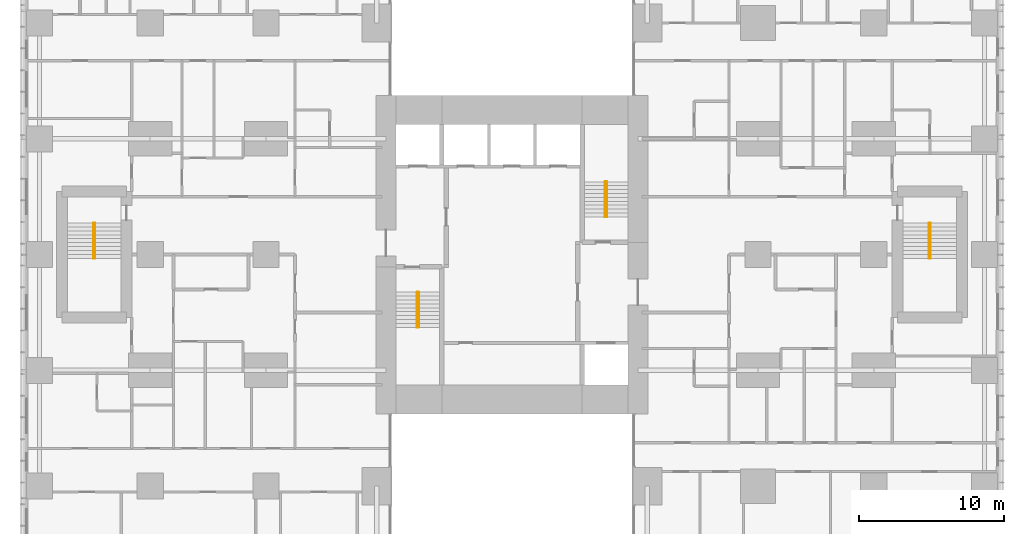
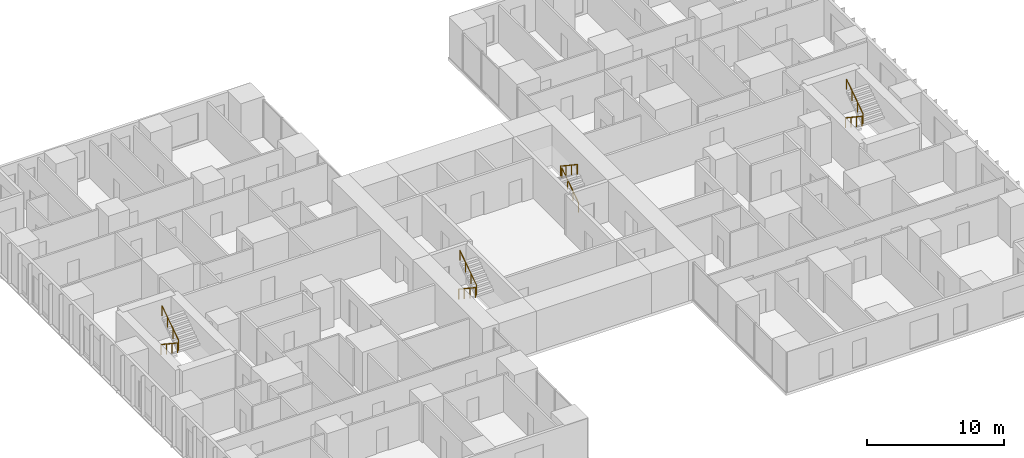
# One storey, part 20 of 20: 8 railings.
"""IFC4 building model written with IfcOpenShell, lengths in metres."""

from ifc_helpers import new_model, si_unit, direction, frame, origin, origin_2d, place, context, subcontext, project, spatial, circle, extrude, material, type_object, element, save


model = new_model("IFC4")

# Units and contexts
model_context = context("Model", 3, precision=1e-05, world=origin(), true_north=direction((0.0, 1.0)))
body_context = subcontext(model_context, "Body", "Model", "MODEL_VIEW")
ifc_project = project(units=[si_unit("LENGTHUNIT", "METRE"), si_unit("AREAUNIT", "SQUARE_METRE"), si_unit("VOLUMEUNIT", "CUBIC_METRE"), si_unit("PLANEANGLEUNIT", "RADIAN"), si_unit("MASSUNIT", "GRAM", prefix="KILO")], contexts=[model_context])

# Site, building, storey
site_placement = place(None, origin())
site = spatial("IfcSite", under=ifc_project, at=site_placement, CompositionType="ELEMENT")
building_placement = place(site_placement, origin())
building = spatial("IfcBuilding", under=site, at=building_placement, Name="Cleftline Residences", CompositionType="ELEMENT")
storey_placement = place(building_placement, frame((0.0, 0.0, 211.0)))
storey = spatial("IfcBuildingStorey", under=building, at=storey_placement, Name="L55", CompositionType="ELEMENT", Elevation=211.0)

# Railings
ifc_material = material(Name="Stainless steel", Category="steel")
railing_type = type_object("IfcRailingType", Name="HANDRAIL 900", PredefinedType="HANDRAIL", material=ifc_material)
railing_1_placement = place(storey_placement, frame((26.449951171875, 21.39990234375, 0.179931640625)))
element("IfcRailing", 1, at=railing_1_placement, inside=storey, type_object=railing_type, Name="Stair handrail", PredefinedType="HANDRAIL", context=body_context, shape_type="SweptSolid", body=[
    extrude(circle(Radius=0.02392578125, at=origin_2d()), frame((0.0, 0.0, 0.8759765625), z_axis=(0.0, -0.832024571796, 0.554738778101), x_axis=(1.0, 0.0, 0.0)), (0.0, 0.0, 1.0), 2.92041015625),
    extrude(circle(Radius=0.02099609375, at=origin_2d()), origin(), (0.0, 0.0, 1.0), 0.851806640625),
    extrude(circle(Radius=0.02099609375, at=origin_2d()), frame((0.0, -0.81005859375, 0.5400390625)), (0.0, 0.0, 1.0), 0.851806640625),
    extrude(circle(Radius=0.02099609375, at=origin_2d()), frame((0.0, -1.619873046875, 1.080078125)), (0.0, 0.0, 1.0), 0.851806640625),
    extrude(circle(Radius=0.02099609375, at=origin_2d()), frame((0.0, -2.429931640625, 1.6201171875)), (0.0, 0.0, 1.0), 0.851806640625),
])
for number, where, name in (
    (2, (26.550048828125, 18.969970703125, 1.97998046875), "Stair handrail"),
    (3, (39.550048828125, 26.60009765625, 0.179931640625), "Stair handrail"),
):
    element("IfcRailing", number, at=place(storey_placement, frame(where)), inside=storey, type_object=railing_type, Name=name, PredefinedType="HANDRAIL", context=body_context, shape_type="SweptSolid", body=[
        extrude(circle(Radius=0.02392578125, at=origin_2d()), frame((0.0, 0.0, 0.8759765625), z_axis=(0.0, 0.832024571796, 0.554738778101), x_axis=(-1.0, 0.0, 0.0)), (0.0, 0.0, 1.0), 2.92041015625),
        extrude(circle(Radius=0.02099609375, at=origin_2d()), origin(), (0.0, 0.0, 1.0), 0.851806640625),
        extrude(circle(Radius=0.02099609375, at=origin_2d()), frame((0.0, 0.81005859375, 0.5400390625)), (0.0, 0.0, 1.0), 0.851806640625),
        extrude(circle(Radius=0.02099609375, at=origin_2d()), frame((0.0, 1.619873046875, 1.080078125)), (0.0, 0.0, 1.0), 0.851806640625),
        extrude(circle(Radius=0.02099609375, at=origin_2d()), frame((0.0, 2.429931640625, 1.6201171875)), (0.0, 0.0, 1.0), 0.851806640625),
    ])
for number, where, name in (
    (4, (39.449951171875, 29.030029296875, 1.97998046875), "Stair handrail"),
    (5, (61.824951171875, 26.175048828125, 0.179931640625), "Stair handrail"),
):
    element("IfcRailing", number, at=place(storey_placement, frame(where)), inside=storey, type_object=railing_type, Name=name, PredefinedType="HANDRAIL", context=body_context, shape_type="SweptSolid", body=[
        extrude(circle(Radius=0.02392578125, at=origin_2d()), frame((0.0, 0.0, 0.8759765625), z_axis=(0.0, -0.832024571796, 0.554738778101), x_axis=(1.0, 0.0, 0.0)), (0.0, 0.0, 1.0), 2.92041015625),
        extrude(circle(Radius=0.02099609375, at=origin_2d()), origin(), (0.0, 0.0, 1.0), 0.851806640625),
        extrude(circle(Radius=0.02099609375, at=origin_2d()), frame((0.0, -0.81005859375, 0.5400390625)), (0.0, 0.0, 1.0), 0.851806640625),
        extrude(circle(Radius=0.02099609375, at=origin_2d()), frame((0.0, -1.619873046875, 1.080078125)), (0.0, 0.0, 1.0), 0.851806640625),
        extrude(circle(Radius=0.02099609375, at=origin_2d()), frame((0.0, -2.429931640625, 1.6201171875)), (0.0, 0.0, 1.0), 0.851806640625),
    ])
railing_2_placement = place(storey_placement, frame((61.925048828125, 23.7451171875, 1.97998046875)))
element("IfcRailing", 6, at=railing_2_placement, inside=storey, type_object=railing_type, Name="Stair handrail", PredefinedType="HANDRAIL", context=body_context, shape_type="SweptSolid", body=[
    extrude(circle(Radius=0.02392578125, at=origin_2d()), frame((0.0, 0.0, 0.8759765625), z_axis=(0.0, 0.832024571796, 0.554738778101), x_axis=(-1.0, 0.0, 0.0)), (0.0, 0.0, 1.0), 2.92041015625),
    extrude(circle(Radius=0.02099609375, at=origin_2d()), origin(), (0.0, 0.0, 1.0), 0.851806640625),
    extrude(circle(Radius=0.02099609375, at=origin_2d()), frame((0.0, 0.81005859375, 0.5400390625)), (0.0, 0.0, 1.0), 0.851806640625),
    extrude(circle(Radius=0.02099609375, at=origin_2d()), frame((0.0, 1.619873046875, 1.080078125)), (0.0, 0.0, 1.0), 0.851806640625),
    extrude(circle(Radius=0.02099609375, at=origin_2d()), frame((0.0, 2.429931640625, 1.6201171875)), (0.0, 0.0, 1.0), 0.851806640625),
])
railing_3_placement = place(storey_placement, frame((4.074951171875, 26.175048828125, 0.179931640625)))
element("IfcRailing", 7, at=railing_3_placement, inside=storey, type_object=railing_type, Name="Stair handrail", PredefinedType="HANDRAIL", context=body_context, shape_type="SweptSolid", body=[
    extrude(circle(Radius=0.02392578125, at=origin_2d()), frame((0.0, 0.0, 0.8759765625), z_axis=(0.0, -0.832024571796, 0.554738778101), x_axis=(1.0, 0.0, 0.0)), (0.0, 0.0, 1.0), 2.92041015625),
    extrude(circle(Radius=0.02099609375, at=origin_2d()), origin(), (0.0, 0.0, 1.0), 0.851806640625),
    extrude(circle(Radius=0.02099609375, at=origin_2d()), frame((0.0, -0.81005859375, 0.5400390625)), (0.0, 0.0, 1.0), 0.851806640625),
    extrude(circle(Radius=0.02099609375, at=origin_2d()), frame((0.0, -1.619873046875, 1.080078125)), (0.0, 0.0, 1.0), 0.851806640625),
    extrude(circle(Radius=0.02099609375, at=origin_2d()), frame((0.0, -2.429931640625, 1.6201171875)), (0.0, 0.0, 1.0), 0.851806640625),
])
railing_4_placement = place(storey_placement, frame((4.175048828125, 23.7451171875, 1.97998046875)))
element("IfcRailing", 8, at=railing_4_placement, inside=storey, type_object=railing_type, Name="Stair handrail", PredefinedType="HANDRAIL", context=body_context, shape_type="SweptSolid", body=[
    extrude(circle(Radius=0.02392578125, at=origin_2d()), frame((0.0, 0.0, 0.8759765625), z_axis=(0.0, 0.832024571796, 0.554738778101), x_axis=(-1.0, 0.0, 0.0)), (0.0, 0.0, 1.0), 2.92041015625),
    extrude(circle(Radius=0.02099609375, at=origin_2d()), origin(), (0.0, 0.0, 1.0), 0.851806640625),
    extrude(circle(Radius=0.02099609375, at=origin_2d()), frame((0.0, 0.81005859375, 0.5400390625)), (0.0, 0.0, 1.0), 0.851806640625),
    extrude(circle(Radius=0.02099609375, at=origin_2d()), frame((0.0, 1.619873046875, 1.080078125)), (0.0, 0.0, 1.0), 0.851806640625),
    extrude(circle(Radius=0.02099609375, at=origin_2d()), frame((0.0, 2.429931640625, 1.6201171875)), (0.0, 0.0, 1.0), 0.851806640625),
])

save(model, "model.ifc")
